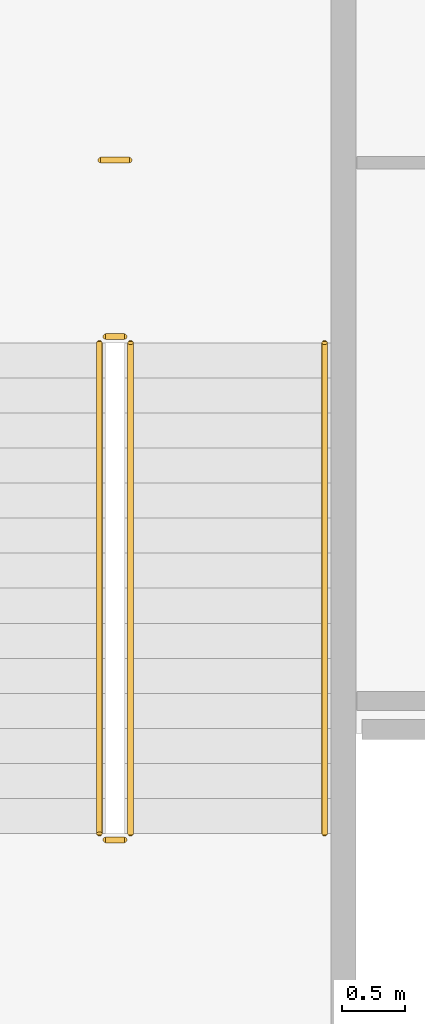
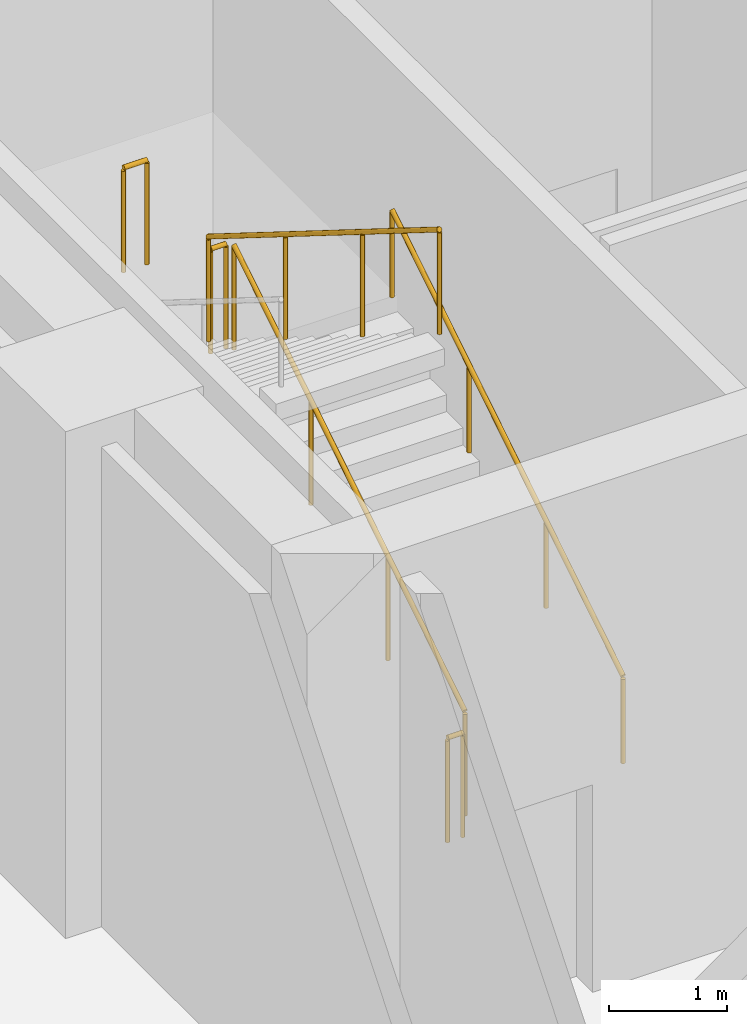
# One storey, part 17 of 19: 6 railings.
"""IFC4 building model written with IfcOpenShell, lengths in metres."""

import ifcopenshell
import ifcopenshell.guid

model = None  # the IFC model being written
_history = None  # IfcOwnerHistory: only IFC2X3 demands one
_inside = {}  # id of a spatial element -> (the spatial element, [elements in it])
_under = {}  # id of a project, library or spatial element -> (it, [spatial elements below it])
_declared = {}  # id of a project -> (the project, [libraries it declares])
_typed = {}  # id of a type object -> (the type object, [elements of that type])
_made_of = {}  # id of a material, layer set ... -> (it, [elements and type objects made of it])


def new_model(schema):
    """Start an empty IFC model of exactly this schema.

    Asked for "IFC4X3", IfcOpenShell would pick the latest addendum, in which some entities
    have other attributes; the version numbers below select the first issue.
    IFC2X3 requires an IfcOwnerHistory on every rooted entity: one is made here for all.
    """
    global model, _history
    if schema == "IFC4X3":
        model = ifcopenshell.file(schema_version=(4, 3, 0, 0))
    else:
        model = ifcopenshell.file(schema=schema)
    _inside.clear()
    _under.clear()
    _declared.clear()
    _typed.clear()
    _made_of.clear()
    _history = None
    if model.schema == "IFC2X3":
        org = make("IfcOrganization", Name="unknown")
        user = make(
            "IfcPersonAndOrganization",
            ThePerson=make("IfcPerson", FamilyName="unknown"),
            TheOrganization=org,
        )
        app = make(
            "IfcApplication",
            ApplicationDeveloper=org,
            Version="unknown",
            ApplicationFullName="unknown",
            ApplicationIdentifier="unknown",
        )
        _history = make(
            "IfcOwnerHistory",
            OwningUser=user,
            OwningApplication=app,
            ChangeAction="ADDED",
            CreationDate=0,
        )
    return model


def make(cls, **values):
    """One entity of the class cls with the attributes given. An attribute that is None is left unset."""
    return model.create_entity(
        cls, **{name: value for name, value in values.items() if value is not None}
    )


def rooted(cls, **values):
    """An entity with a GlobalId (a new one), such as an element, a storey or a relation."""
    return make(cls, GlobalId=ifcopenshell.guid.new(), OwnerHistory=_history, **values)


def si_unit(unit_type, name, prefix=None):
    """IfcSIUnit, for example si_unit("LENGTHUNIT", "METRE", prefix="MILLI")."""
    return make("IfcSIUnit", UnitType=unit_type, Prefix=prefix, Name=name)


def assignment(units):
    """IfcUnitAssignment: the units of a project."""
    return None if units is None else make("IfcUnitAssignment", Units=units)


def point(xyz):
    """IfcCartesianPoint."""
    return None if xyz is None else make("IfcCartesianPoint", Coordinates=xyz)


def direction(xyz):
    """IfcDirection."""
    return None if xyz is None else make("IfcDirection", DirectionRatios=xyz)


def frame(location, z_axis=None, x_axis=None):
    """IfcAxis2Placement3D, a coordinate frame: its origin and axes. An axis left out is left unset."""
    return make(
        "IfcAxis2Placement3D",
        Location=point(location),
        Axis=direction(z_axis),
        RefDirection=direction(x_axis),
    )


def frame_2d(location, x_axis=None):
    """IfcAxis2Placement2D, a coordinate frame in the plane: its origin and x axis."""
    return make(
        "IfcAxis2Placement2D", Location=point(location), RefDirection=direction(x_axis)
    )


def origin():
    """The frame at (0, 0, 0) with its axes left unset."""
    return frame((0.0, 0.0, 0.0))


def origin_2d():
    """The frame at (0, 0) in the plane with its x axis left unset."""
    return frame_2d((0.0, 0.0))


def place(relative_to, where):
    """IfcLocalPlacement: puts the frame where relative to a parent placement (None: the world)."""
    return make(
        "IfcLocalPlacement", PlacementRelTo=relative_to, RelativePlacement=where
    )


def context(
    kind, dimensions, precision=None, world=None, true_north=None, identifier=None
):
    """IfcGeometricRepresentationContext, for example the 3D "Model" context."""
    return make(
        "IfcGeometricRepresentationContext",
        ContextIdentifier=identifier,
        ContextType=kind,
        CoordinateSpaceDimension=dimensions,
        Precision=precision,
        WorldCoordinateSystem=world,
        TrueNorth=true_north,
    )


def subcontext(parent, identifier, kind, view, scale=None):
    """IfcGeometricRepresentationSubContext, for example "Body" below "Model"."""
    return make(
        "IfcGeometricRepresentationSubContext",
        ContextIdentifier=identifier,
        ContextType=kind,
        ParentContext=parent,
        TargetScale=scale,
        TargetView=view,
    )


def project(units=None, contexts=None):
    """IfcProject with its units and contexts."""
    return rooted(
        "IfcProject",
        Name="project",
        RepresentationContexts=contexts,
        UnitsInContext=assignment(units),
    )


def spatial(cls, under=None, at=None, **own):
    """A site, building, storey or space (cls), placed at a placement, below another one or the project."""
    s = rooted(cls, ObjectPlacement=at, **own)
    if under is not None:
        _under.setdefault(under.id(), (under, []))[1].append(s)
    return s


def profile(cls, at=None, kind="AREA", **sizes):
    """A parametric profile (cls). Its sizes go by their IFC names, for example OverallWidth=200.0."""
    return make(cls, ProfileType=kind, Position=at, **sizes)


def circle(**sizes):
    """IfcCircleProfileDef."""
    return profile("IfcCircleProfileDef", **sizes)


def extrude(swept, where, along, depth):
    """IfcExtrudedAreaSolid: the profile swept, set in the frame where, extruded along a direction by depth."""
    return make(
        "IfcExtrudedAreaSolid",
        SweptArea=swept,
        Position=where,
        ExtrudedDirection=direction(along),
        Depth=depth,
    )


def shape(context_of_items, identifier, shape_type, items):
    """IfcShapeRepresentation: the items that make up one representation, for example the "Body"."""
    return make(
        "IfcShapeRepresentation",
        ContextOfItems=context_of_items,
        RepresentationIdentifier=identifier,
        RepresentationType=shape_type,
        Items=items,
    )


def material(Name=None, Category=None):
    """IfcMaterial."""
    return make("IfcMaterial", Name=Name, Category=Category)


def made_of(thing, what):
    """Note that an element or type object is made of a material, layer set ...; save() writes the relation."""
    if what is not None:
        _made_of.setdefault(what.id(), (what, []))[1].append(thing)
    return thing


def type_object(cls, material=None, **own):
    """A type object (cls), such as IfcWallType, which elements share."""
    return made_of(rooted(cls, **own), material)


def element(
    cls,
    number,
    at=None,
    inside=None,
    cuts=None,
    type_object=None,
    material=None,
    context=None,
    identifier="Body",
    shape_type=None,
    held_by="IfcProductDefinitionShape",
    body=None,
    shapes=None,
    **own,
):
    """One element of the class cls, such as IfcWall. Its Tag is "e" and its number.

    at: its placement. inside: the storey or other place that contains it. cuts: it is an
    opening in that element (IfcRelVoidsElement). A single representation is given by context,
    identifier, shape_type and body (its items); several are given by shapes. held_by: the class
    of the entity that holds the representations. save() writes the other relations.
    """
    e = rooted(cls, Tag="e%d" % number, ObjectPlacement=at, **own)
    if body is not None:
        shapes = [shape(context, identifier, shape_type, body)]
    if shapes is not None:
        e.Representation = make(held_by, Representations=shapes)
    if inside is not None:
        _inside.setdefault(inside.id(), (inside, []))[1].append(e)
    if cuts is not None:
        rooted(
            "IfcRelVoidsElement", RelatingBuildingElement=cuts, RelatedOpeningElement=e
        )
    if type_object is not None:
        _typed.setdefault(type_object.id(), (type_object, []))[1].append(e)
    return made_of(e, material)


def aggregate(whole, parts):
    """IfcRelAggregates: a whole, such as a stair, and the parts it consists of."""
    return rooted("IfcRelAggregates", RelatingObject=whole, RelatedObjects=parts)


def save(model, path):
    """Write the relations noted so far, then the file.

    IfcRelAggregates (storeys below a building ...), IfcRelContainedInSpatialStructure (elements
    in a storey), IfcRelDefinesByType, IfcRelAssociatesMaterial and IfcRelDeclares: one each for
    every whole, place, type object, material and project.
    """
    for whole, parts in _under.values():
        aggregate(whole, parts)
    for where, things in _inside.values():
        rooted(
            "IfcRelContainedInSpatialStructure",
            RelatedElements=things,
            RelatingStructure=where,
        )
    for kind, things in _typed.values():
        rooted("IfcRelDefinesByType", RelatedObjects=things, RelatingType=kind)
    for what, things in _made_of.values():
        rooted("IfcRelAssociatesMaterial", RelatedObjects=things, RelatingMaterial=what)
    for by, libraries in _declared.values():
        rooted("IfcRelDeclares", RelatingContext=by, RelatedDefinitions=libraries)
    model.write(path)


model = new_model("IFC4")

# Units and contexts
model_context = context("Model", 3, precision=1e-05, world=origin(), true_north=direction((0.0, 1.0)))
body_context = subcontext(model_context, "Body", "Model", "MODEL_VIEW")
ifc_project = project(units=[si_unit("LENGTHUNIT", "METRE"), si_unit("AREAUNIT", "SQUARE_METRE"), si_unit("VOLUMEUNIT", "CUBIC_METRE"), si_unit("PLANEANGLEUNIT", "RADIAN"), si_unit("MASSUNIT", "GRAM", prefix="KILO")], contexts=[model_context])

# Site, building, storey
site_placement = place(None, origin())
site = spatial("IfcSite", under=ifc_project, at=site_placement, CompositionType="ELEMENT")
building_placement = place(site_placement, origin())
building = spatial("IfcBuilding", under=site, at=building_placement, Name="Maruvema Waterfront Hotel and Observation Tower", CompositionType="ELEMENT")
storey_placement = place(building_placement, frame((0.0, 0.0, 359.10009765625)))
storey = spatial("IfcBuildingStorey", under=building, at=storey_placement, Name="L88", CompositionType="ELEMENT", Elevation=359.10009765625)

# Railings
ifc_material_1 = material(Name="Brushed stainless steel Grade 316", Category="steel")
railing_type_1 = type_object("IfcRailingType", Name="Ramp Continuous Wall Handrail 920 mm", PredefinedType="HANDRAIL", material=ifc_material_1)
railing_1_placement = place(storey_placement, frame((29.800048828125, 44.0, 0.1748046875)))
element("IfcRailing", 1, at=railing_1_placement, inside=storey, type_object=railing_type_1, Name="L88 ST-01 stair handrail 1", PredefinedType="HANDRAIL", context=body_context, shape_type="SweptSolid", body=[
    extrude(circle(Radius=0.02392578125, at=origin_2d()), frame((0.0, 0.0, 0.89599609375), z_axis=(0.0, 0.847974566722, 0.530036917764), x_axis=(-1.0, 0.0, 0.0)), (0.0, 0.0, 1.0), 4.622802734375),
    extrude(circle(Radius=0.02099609375, at=origin_2d()), origin(), (0.0, 0.0, 1.0), 0.871826171875),
    extrude(circle(Radius=0.02099609375, at=origin_2d()), frame((0.0, 1.306640625, 0.816650390625)), (0.0, 0.0, 1.0), 0.871826171875),
    extrude(circle(Radius=0.02099609375, at=origin_2d()), frame((0.0, 2.61328125, 1.633544921875)), (0.0, 0.0, 1.0), 0.871826171875),
    extrude(circle(Radius=0.02099609375, at=origin_2d()), frame((0.0, 3.919921875, 2.4501953125)), (0.0, 0.0, 1.0), 0.871826171875),
])
ifc_material_2 = material(Name="Brushed stainless steel Grade 316", Category="steel")
railing_type_2 = type_object("IfcRailingType", Name="Ramp and Terrace Guard Balustrade 1100 mm", PredefinedType="BALUSTRADE", material=ifc_material_2)
railing_2_placement = place(storey_placement, frame((28.25, 44.0, 0.1748046875)))
element("IfcRailing", 2, at=railing_2_placement, inside=storey, type_object=railing_type_2, Name="L88 ST-01 stair guard 1", PredefinedType="BALUSTRADE", context=body_context, shape_type="SweptSolid", body=[
    extrude(circle(Radius=0.02392578125, at=origin_2d()), frame((0.0, 0.0, 1.076171875), z_axis=(0.0, 0.847974566722, 0.530036917764), x_axis=(-1.0, 0.0, 0.0)), (0.0, 0.0, 1.0), 4.622802734375),
    extrude(circle(Radius=0.02099609375, at=origin_2d()), origin(), (0.0, 0.0, 1.0), 1.052001953125),
    extrude(circle(Radius=0.02099609375, at=origin_2d()), frame((0.0, 1.306640625, 0.816650390625)), (0.0, 0.0, 1.0), 1.052001953125),
    extrude(circle(Radius=0.02099609375, at=origin_2d()), frame((0.0, 2.61328125, 1.633544921875)), (0.0, 0.0, 1.0), 1.052001953125),
    extrude(circle(Radius=0.02099609375, at=origin_2d()), frame((0.0, 3.919921875, 2.4501953125)), (0.0, 0.0, 1.0), 1.052001953125),
])
railing_3_placement = place(storey_placement, frame((28.199951171875, 47.969970703125, 2.625)))
element("IfcRailing", 3, at=railing_3_placement, inside=storey, type_object=railing_type_2, Name="L88 ST-01 stair guard 2", PredefinedType="BALUSTRADE", context=body_context, shape_type="SweptSolid", body=[
    extrude(circle(Radius=0.02392578125, at=origin_2d()), frame((0.0, 0.0, 1.076171875), z_axis=(-1.0, 0.0, 0.0), x_axis=(0.0, -1.0, 0.0)), (0.0, 0.0, 1.0), 0.14990234375),
    extrude(circle(Radius=0.02099609375, at=origin_2d()), origin(), (0.0, 0.0, 1.0), 1.052001953125),
    extrude(circle(Radius=0.02099609375, at=origin_2d()), frame((-0.14990234375, 0.0, 0.0)), (0.0, 0.0, 1.0), 1.052001953125),
])
railing_4_placement = place(storey_placement, frame((28.0, 47.919921875, 2.7998046875)))
element("IfcRailing", 4, at=railing_4_placement, inside=storey, type_object=railing_type_2, Name="L88 ST-01 stair guard 3", PredefinedType="BALUSTRADE", context=body_context, shape_type="SweptSolid", body=[
    extrude(circle(Radius=0.02392578125, at=origin_2d()), frame((0.0, 0.0, 1.076171875), z_axis=(0.0, -0.847974566722, 0.530036917764), x_axis=(1.0, 0.0, 0.0)), (0.0, 0.0, 1.0), 4.622802734375),
    extrude(circle(Radius=0.02099609375, at=origin_2d()), origin(), (0.0, 0.0, 1.0), 1.052001953125),
    extrude(circle(Radius=0.02099609375, at=origin_2d()), frame((0.0, -1.306640625, 0.816650390625)), (0.0, 0.0, 1.0), 1.052001953125),
    extrude(circle(Radius=0.02099609375, at=origin_2d()), frame((0.0, -2.61328125, 1.633544921875)), (0.0, 0.0, 1.0), 1.052001953125),
    extrude(circle(Radius=0.02099609375, at=origin_2d()), frame((0.0, -3.919921875, 2.4501953125)), (0.0, 0.0, 1.0), 1.052001953125),
])
railing_5_placement = place(storey_placement, frame((28.199951171875, 43.949951171875, 0.0)))
element("IfcRailing", 5, at=railing_5_placement, inside=storey, type_object=railing_type_2, Name="L88 ST-01 stair guard 4", PredefinedType="BALUSTRADE", context=body_context, shape_type="SweptSolid", body=[
    extrude(circle(Radius=0.02392578125, at=origin_2d()), frame((0.0, 0.0, 1.076171875), z_axis=(-1.0, 0.0, 0.0), x_axis=(0.0, -1.0, 0.0)), (0.0, 0.0, 1.0), 0.14990234375),
    extrude(circle(Radius=0.02099609375, at=origin_2d()), origin(), (0.0, 0.0, 1.0), 1.052001953125),
    extrude(circle(Radius=0.02099609375, at=origin_2d()), frame((-0.14990234375, 0.0, 0.0)), (0.0, 0.0, 1.0), 1.052001953125),
])
railing_6_placement = place(storey_placement, frame((28.239990234375, 49.3798828125, 2.625)))
element("IfcRailing", 6, at=railing_6_placement, inside=storey, type_object=railing_type_2, Name="L88 ST-01 Half-Landing Slot Guard", PredefinedType="BALUSTRADE", context=body_context, shape_type="SweptSolid", body=[
    extrude(circle(Radius=0.02392578125, at=origin_2d()), frame((0.0, 0.0, 1.076171875), z_axis=(-1.0, 0.0, 0.0), x_axis=(0.0, -1.0, 0.0)), (0.0, 0.0, 1.0), 0.22998046875),
    extrude(circle(Radius=0.02099609375, at=origin_2d()), origin(), (0.0, 0.0, 1.0), 1.052001953125),
    extrude(circle(Radius=0.02099609375, at=origin_2d()), frame((-0.22998046875, 0.0, 0.0)), (0.0, 0.0, 1.0), 1.052001953125),
])

save(model, "model.ifc")
